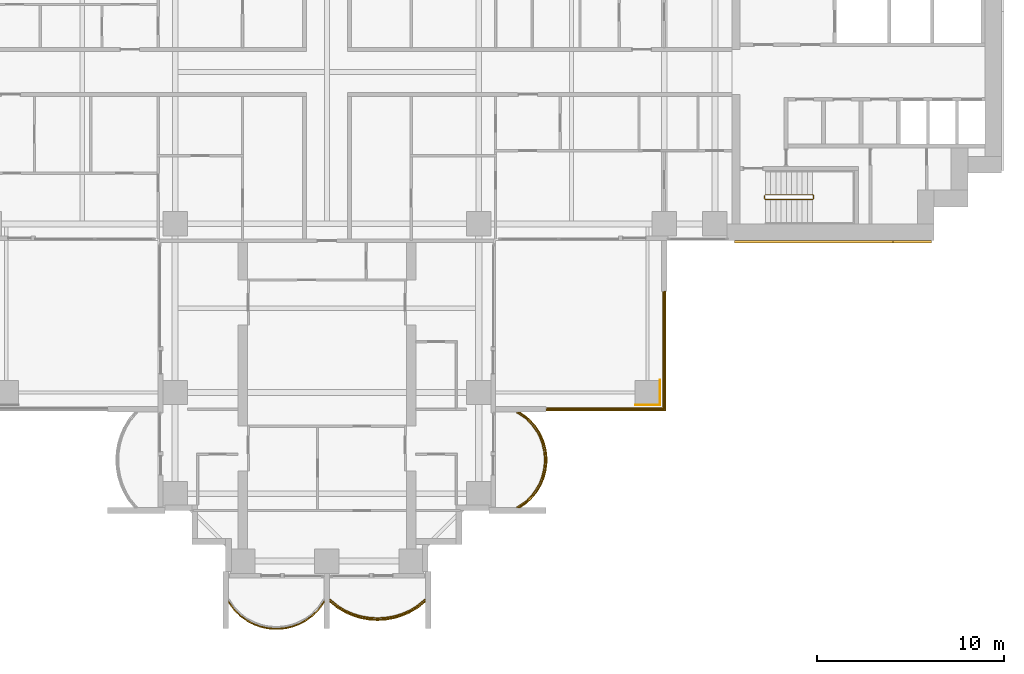
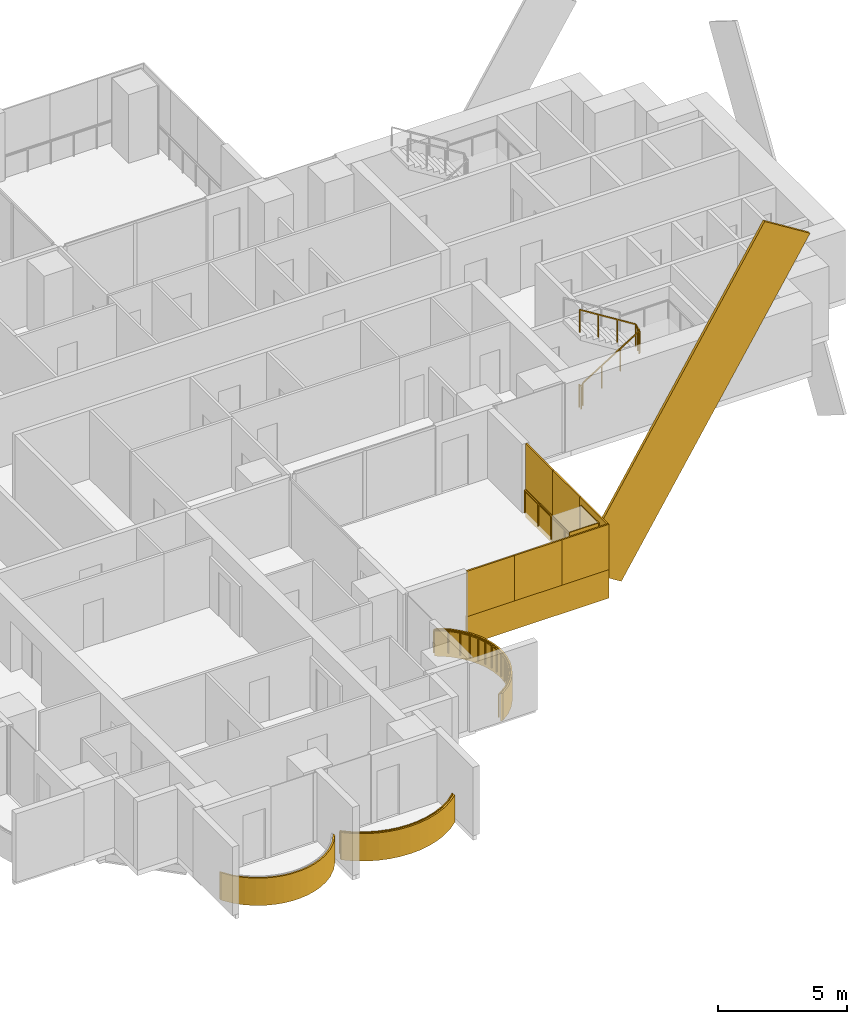
# One storey, part 20 of 23: 13 coverings, 4 railings.
"""IFC4 building model written with IfcOpenShell, lengths in metres."""

from ifc_helpers import new_model, si_unit, direction, frame, origin, origin_2d, place, context, subcontext, project, spatial, polyline, rectangle, outline, extrude, material, layer, layer_set, material_profile, profile_set, type_object, element, save


model = new_model("IFC4")

# Units and contexts
model_context = context("Model", 3, precision=1e-05, world=origin(), true_north=direction((0.0, 1.0)))
body_context = subcontext(model_context, "Body", "Model", "MODEL_VIEW")
ifc_project = project(units=[si_unit("LENGTHUNIT", "METRE"), si_unit("AREAUNIT", "SQUARE_METRE"), si_unit("VOLUMEUNIT", "CUBIC_METRE"), si_unit("PLANEANGLEUNIT", "RADIAN"), si_unit("MASSUNIT", "GRAM", prefix="KILO")], contexts=[model_context])

# Site, building, storey
site_placement = place(None, origin())
site = spatial("IfcSite", under=ifc_project, at=site_placement, CompositionType="ELEMENT")
building_placement = place(site_placement, origin())
building = spatial("IfcBuilding", under=site, at=building_placement, Name="Perihelion Cross Residences", CompositionType="ELEMENT")
storey_placement = place(building_placement, frame((0.0, 0.0, 85.5)))
storey = spatial("IfcBuildingStorey", under=building, at=storey_placement, Name="L19", CompositionType="ELEMENT", Elevation=85.5)

# Coverings
ifc_material_1 = material(Name="Bronze anodised aluminium", Category="aluminium")
ifc_layer_1 = layer(ifc_material_1, 0.070068359375)
ifc_layer_set_1 = layer_set([ifc_layer_1], Name="Balcony fascia 1300")
covering_type_1 = type_object("IfcCoveringType", Name="Balcony fascia 1300", PredefinedType="CLADDING", material=ifc_layer_set_1)
covering_1_placement = place(storey_placement, frame((0.0, 0.0, -0.199951171875)))
element("IfcCovering", 1, at=covering_1_placement, inside=storey, type_object=covering_type_1, Name="Fascia BF1 L19 south tip south bay 1", PredefinedType="CLADDING", context=body_context, shape_type="SweptSolid", body=[
    extrude(outline(polyline([(-4.963134765625, -28.722412109375), (-4.61474609375, -29.060791015625), (-4.2666015625, -29.308837890625), (-3.91845703125, -29.4912109375), (-3.5703125, -29.620361328125), (-3.22216796875, -29.703369140625), (-2.8740234375, -29.743896484375), (-2.52587890625, -29.743896484375), (-2.177734375, -29.703369140625), (-1.82958984375, -29.620361328125), (-1.4814453125, -29.4912109375), (-1.13330078125, -29.308837890625), (-0.78515625, -29.060791015625), (-0.43701171875, -28.722412109375), (-0.14990234375, -28.320556640625), (-0.14990234375, -28.199951171875), (-0.489990234375, -28.6767578125), (-0.830078125, -29.007080078125), (-1.169921875, -29.2490234375), (-1.510009765625, -29.42724609375), (-1.85009765625, -29.553466796875), (-2.18994140625, -29.63427734375), (-2.530029296875, -29.674072265625), (-2.8701171875, -29.674072265625), (-3.2099609375, -29.63427734375), (-3.550048828125, -29.553466796875), (-3.889892578125, -29.42724609375), (-4.22998046875, -29.2490234375), (-4.570068359375, -29.007080078125), (-4.909912109375, -28.6767578125), (-5.25, -28.199951171875), (-5.25, -28.320556640625), (-4.963134765625, -28.722412109375)])), origin(), (0.0, 0.0, 1.0), 1.300048828125),
])
covering_2_placement = place(storey_placement, frame((0.0, 0.0, -0.199951171875)))
element("IfcCovering", 2, at=covering_2_placement, inside=storey, type_object=covering_type_1, Name="Fascia BF1 L19 south tip south bay 2", PredefinedType="CLADDING", context=body_context, shape_type="SweptSolid", body=[
    extrude(outline(polyline([(0.53515625, -28.59765625), (0.96826171875, -28.85498046875), (1.401123046875, -29.04248046875), (1.833984375, -29.170654296875), (2.26708984375, -29.245361328125), (2.699951171875, -29.27001953125), (3.133056640625, -29.245361328125), (3.56591796875, -29.170654296875), (3.998779296875, -29.04248046875), (4.431884765625, -28.85498046875), (4.86474609375, -28.59765625), (5.25, -28.28955078125), (5.25, -28.199951171875), (4.824951171875, -28.5400390625), (4.39990234375, -28.792724609375), (3.97509765625, -28.9765625), (3.550048828125, -29.1025390625), (3.125, -29.17578125), (2.699951171875, -29.199951171875), (2.27490234375, -29.17578125), (1.85009765625, -29.1025390625), (1.425048828125, -28.9765625), (1.0, -28.792724609375), (0.574951171875, -28.5400390625), (0.14990234375, -28.199951171875), (0.14990234375, -28.28955078125), (0.53515625, -28.59765625)])), origin(), (0.0, 0.0, 1.0), 1.300048828125),
])
covering_3_placement = place(storey_placement, frame((0.0, 0.0, -0.199951171875)))
element("IfcCovering", 3, at=covering_3_placement, inside=storey, type_object=covering_type_1, Name="Fascia BF1 L19 south side east bay 1", PredefinedType="CLADDING", context=body_context, shape_type="SweptSolid", body=[
    extrude(outline(polyline([(10.722412109375, -22.963134765625), (11.060791015625, -22.61474609375), (11.308837890625, -22.2666015625), (11.4912109375, -21.91845703125), (11.620361328125, -21.5703125), (11.703369140625, -21.22216796875), (11.743896484375, -20.8740234375), (11.743896484375, -20.52587890625), (11.703369140625, -20.177734375), (11.620361328125, -19.82958984375), (11.4912109375, -19.4814453125), (11.308837890625, -19.13330078125), (11.060791015625, -18.78515625), (10.722412109375, -18.43701171875), (10.320556640625, -18.14990234375), (10.199951171875, -18.14990234375), (10.6767578125, -18.489990234375), (11.007080078125, -18.830078125), (11.2490234375, -19.169921875), (11.42724609375, -19.510009765625), (11.553466796875, -19.85009765625), (11.63427734375, -20.18994140625), (11.674072265625, -20.530029296875), (11.674072265625, -20.8701171875), (11.63427734375, -21.2099609375), (11.553466796875, -21.550048828125), (11.42724609375, -21.889892578125), (11.2490234375, -22.22998046875), (11.007080078125, -22.570068359375), (10.6767578125, -22.909912109375), (10.199951171875, -23.25), (10.320556640625, -23.25), (10.722412109375, -22.963134765625)])), origin(), (0.0, 0.0, 1.0), 1.300048828125),
])

# Railings
ifc_material_2 = material(Name="Bronze anodised aluminium", Category="aluminium")
railing_type_1 = type_object("IfcRailingType", Name="Balcony guard 1100", PredefinedType="GUARDRAIL", material=ifc_material_2)
railing_1_placement = place(storey_placement, frame((0.175048828125, -28.139892578125, 0.0)))
element("IfcRailing", 4, at=railing_1_placement, inside=storey, type_object=railing_type_1, Name="Guard GU1 L19 south tip south bay 2 balcony", PredefinedType="GUARDRAIL", context=body_context, shape_type="SweptSolid", body=[
    extrude(rectangle(XDim=0.048095703125, YDim=0.048095703125, at=origin_2d()), frame((0.0, 0.0, 1.076171875), z_axis=(0.761778647315, -0.647837396648, 0.0), x_axis=(0.647837396648, 0.761778647315, 0.0)), (0.0, 0.0, 1.0), 0.52490234375),
    extrude(rectangle(XDim=0.048095703125, YDim=0.048095703125, at=origin_2d()), frame((0.39990234375, -0.340087890625, 1.076171875), z_axis=(0.859576918062, -0.511006381501, 0.0), x_axis=(0.511006381501, 0.859576918062, 0.0)), (0.0, 0.0, 1.0), 0.494384765625),
    extrude(rectangle(XDim=0.048095703125, YDim=0.048095703125, at=origin_2d()), frame((0.824951171875, -0.5927734375, 1.076171875), z_axis=(0.917638931453, -0.397415137459, 0.0), x_axis=(0.397415137459, 0.917638931453, 0.0)), (0.0, 0.0, 1.0), 0.463134765625),
    extrude(rectangle(XDim=0.048095703125, YDim=0.048095703125, at=origin_2d()), frame((1.25, -0.77685546875, 1.076171875), z_axis=(0.958925815697, -0.283656975924, 0.0), x_axis=(0.283656975924, 0.958925815697, 0.0)), (0.0, 0.0, 1.0), 0.443359375),
    extrude(rectangle(XDim=0.048095703125, YDim=0.048095703125, at=origin_2d()), frame((1.675048828125, -0.902587890625, 1.076171875), z_axis=(0.985365142702, -0.170456843651, 0.0), x_axis=(0.170456843651, 0.985365142702, 0.0)), (0.0, 0.0, 1.0), 0.43115234375),
    extrude(rectangle(XDim=0.048095703125, YDim=0.048095703125, at=origin_2d()), frame((2.099853515625, -0.97607421875, 1.076171875), z_axis=(0.9984195016, -0.056200523353, 0.0), x_axis=(0.056200523353, 0.9984195016, 0.0)), (0.0, 0.0, 1.0), 0.42578125),
    extrude(rectangle(XDim=0.048095703125, YDim=0.048095703125, at=origin_2d()), frame((2.52490234375, -1.0, 1.076171875), z_axis=(0.9984195016, 0.056200523353, 0.0), x_axis=(-0.056200523353, 0.9984195016, 0.0)), (0.0, 0.0, 1.0), 0.42578125),
    extrude(rectangle(XDim=0.048095703125, YDim=0.048095703125, at=origin_2d()), frame((2.949951171875, -0.97607421875, 1.076171875), z_axis=(0.985381583142, 0.17036177859, 0.0), x_axis=(-0.17036177859, 0.985381583142, 0.0)), (0.0, 0.0, 1.0), 0.431396484375),
    extrude(rectangle(XDim=0.048095703125, YDim=0.048095703125, at=origin_2d()), frame((3.375, -0.902587890625, 1.076171875), z_axis=(0.958925815697, 0.283656975924, 0.0), x_axis=(-0.283656975924, 0.958925815697, 0.0)), (0.0, 0.0, 1.0), 0.443359375),
    extrude(rectangle(XDim=0.048095703125, YDim=0.048095703125, at=origin_2d()), frame((3.800048828125, -0.77685546875, 1.076171875), z_axis=(0.91755562531, 0.397607437634, 0.0), x_axis=(-0.397607437634, 0.91755562531, 0.0)), (0.0, 0.0, 1.0), 0.462890625),
    extrude(rectangle(XDim=0.048095703125, YDim=0.048095703125, at=origin_2d()), frame((4.224853515625, -0.5927734375, 1.076171875), z_axis=(0.859576918062, 0.511006381501, 0.0), x_axis=(-0.511006381501, 0.859576918062, 0.0)), (0.0, 0.0, 1.0), 0.494384765625),
    extrude(rectangle(XDim=0.048095703125, YDim=0.048095703125, at=origin_2d()), frame((4.64990234375, -0.340087890625, 1.076171875), z_axis=(0.761973728849, 0.647607934281, 0.0), x_axis=(-0.647607934281, 0.761973728849, 0.0)), (0.0, 0.0, 1.0), 0.525146484375),
    extrude(rectangle(XDim=0.0419921875, YDim=0.0419921875, at=origin_2d()), origin(), (0.0, 0.0, 1.0), 1.052001953125),
    extrude(rectangle(XDim=0.0419921875, YDim=0.0419921875, at=origin_2d()), frame((0.39990234375, -0.340087890625, 0.0)), (0.0, 0.0, 1.0), 1.052001953125),
    extrude(rectangle(XDim=0.0419921875, YDim=0.0419921875, at=origin_2d()), frame((0.824951171875, -0.5927734375, 0.0)), (0.0, 0.0, 1.0), 1.052001953125),
    extrude(rectangle(XDim=0.0419921875, YDim=0.0419921875, at=origin_2d()), frame((1.25, -0.77685546875, 0.0)), (0.0, 0.0, 1.0), 1.052001953125),
    extrude(rectangle(XDim=0.0419921875, YDim=0.0419921875, at=origin_2d()), frame((1.675048828125, -0.902587890625, 0.0)), (0.0, 0.0, 1.0), 1.052001953125),
    extrude(rectangle(XDim=0.0419921875, YDim=0.0419921875, at=origin_2d()), frame((2.099853515625, -0.97607421875, 0.0)), (0.0, 0.0, 1.0), 1.052001953125),
    extrude(rectangle(XDim=0.0419921875, YDim=0.0419921875, at=origin_2d()), frame((2.52490234375, -1.0, 0.0)), (0.0, 0.0, 1.0), 1.052001953125),
    extrude(rectangle(XDim=0.0419921875, YDim=0.0419921875, at=origin_2d()), frame((2.949951171875, -0.97607421875, 0.0)), (0.0, 0.0, 1.0), 1.052001953125),
    extrude(rectangle(XDim=0.0419921875, YDim=0.0419921875, at=origin_2d()), frame((3.375, -0.902587890625, 0.0)), (0.0, 0.0, 1.0), 1.052001953125),
    extrude(rectangle(XDim=0.0419921875, YDim=0.0419921875, at=origin_2d()), frame((3.800048828125, -0.77685546875, 0.0)), (0.0, 0.0, 1.0), 1.052001953125),
    extrude(rectangle(XDim=0.0419921875, YDim=0.0419921875, at=origin_2d()), frame((4.224853515625, -0.5927734375, 0.0)), (0.0, 0.0, 1.0), 1.052001953125),
    extrude(rectangle(XDim=0.0419921875, YDim=0.0419921875, at=origin_2d()), frame((4.64990234375, -0.340087890625, 0.0)), (0.0, 0.0, 1.0), 1.052001953125),
    extrude(rectangle(XDim=0.0419921875, YDim=0.0419921875, at=origin_2d()), frame((5.050048828125, 0.0, 0.0)), (0.0, 0.0, 1.0), 1.052001953125),
])
railing_2_placement = place(storey_placement, frame((10.139892578125, -23.22509765625, 0.0)))
element("IfcRailing", 5, at=railing_2_placement, inside=storey, type_object=railing_type_1, Name="Guard GU1 L19 south side east bay 1 balcony", PredefinedType="GUARDRAIL", context=body_context, shape_type="SweptSolid", body=[
    extrude(rectangle(XDim=0.048095703125, YDim=0.048095703125, at=origin_2d()), frame((0.0, 0.0, 1.076171875), z_axis=(0.834212513801, 0.55144309028, 0.0), x_axis=(-0.55144309028, 0.834212513801, 0.0)), (0.0, 0.0, 1.0), 0.571533203125),
    extrude(rectangle(XDim=0.048095703125, YDim=0.048095703125, at=origin_2d()), frame((0.476806640625, 0.315185546875, 1.076171875), z_axis=(0.696990112603, 0.717080736691, 0.0), x_axis=(-0.717080736691, 0.696990112603, 0.0)), (0.0, 0.0, 1.0), 0.473876953125),
    extrude(rectangle(XDim=0.048095703125, YDim=0.048095703125, at=origin_2d()), frame((0.80712890625, 0.655029296875, 1.076171875), z_axis=(0.580075995532, 0.814562360662, 0.0), x_axis=(-0.814562360662, 0.580075995532, 0.0)), (0.0, 0.0, 1.0), 0.41748046875),
    extrude(rectangle(XDim=0.048095703125, YDim=0.048095703125, at=origin_2d()), frame((1.04931640625, 0.9951171875, 1.076171875), z_axis=(0.463674228502, 0.886005761733, 0.0), x_axis=(-0.886005761733, 0.463674228502, 0.0)), (0.0, 0.0, 1.0), 0.3837890625),
    extrude(rectangle(XDim=0.048095703125, YDim=0.048095703125, at=origin_2d()), frame((1.227294921875, 1.335205078125, 1.076171875), z_axis=(0.348169621027, 0.937431552165, 0.0), x_axis=(-0.937431552165, 0.348169621027, 0.0)), (0.0, 0.0, 1.0), 0.362548828125),
    extrude(rectangle(XDim=0.048095703125, YDim=0.048095703125, at=origin_2d()), frame((1.353515625, 1.675048828125, 1.076171875), z_axis=(0.231840805498, 0.972753741142, 0.0), x_axis=(-0.972753741142, 0.231840805498, 0.0)), (0.0, 0.0, 1.0), 0.349609375),
    extrude(rectangle(XDim=0.048095703125, YDim=0.048095703125, at=origin_2d()), frame((1.4345703125, 2.01513671875, 1.076171875), z_axis=(0.11559909788, 0.993295952156, 0.0), x_axis=(-0.993295952156, 0.11559909788, 0.0)), (0.0, 0.0, 1.0), 0.342041015625),
    extrude(rectangle(XDim=0.048095703125, YDim=0.048095703125, at=origin_2d()), frame((1.47412109375, 2.35498046875, 1.076171875), z_axis=(0.0, 1.0, 0.0), x_axis=(-1.0, 0.0, 0.0)), (0.0, 0.0, 1.0), 0.340087890625),
    extrude(rectangle(XDim=0.048095703125, YDim=0.048095703125, at=origin_2d()), frame((1.47412109375, 2.695068359375, 1.076171875), z_axis=(-0.11551721994, 0.993305477634, 0.0), x_axis=(-0.993305477634, -0.11551721994, 0.0)), (0.0, 0.0, 1.0), 0.34228515625),
    extrude(rectangle(XDim=0.048095703125, YDim=0.048095703125, at=origin_2d()), frame((1.4345703125, 3.03515625, 1.076171875), z_axis=(-0.231998396458, 0.972716168284, 0.0), x_axis=(-0.972716168284, -0.231998396458, 0.0)), (0.0, 0.0, 1.0), 0.349365234375),
    extrude(rectangle(XDim=0.048095703125, YDim=0.048095703125, at=origin_2d()), frame((1.353515625, 3.375, 1.076171875), z_axis=(-0.347949948587, 0.93751311099, 0.0), x_axis=(-0.93751311099, -0.347949948587, 0.0)), (0.0, 0.0, 1.0), 0.36279296875),
    extrude(rectangle(XDim=0.048095703125, YDim=0.048095703125, at=origin_2d()), frame((1.227294921875, 3.715087890625, 1.076171875), z_axis=(-0.463674228502, 0.886005761733, 0.0), x_axis=(-0.886005761733, -0.463674228502, 0.0)), (0.0, 0.0, 1.0), 0.3837890625),
    extrude(rectangle(XDim=0.048095703125, YDim=0.048095703125, at=origin_2d()), frame((1.04931640625, 4.05517578125, 1.076171875), z_axis=(-0.580352394782, 0.814365457194, 0.0), x_axis=(-0.814365457194, -0.580352394782, 0.0)), (0.0, 0.0, 1.0), 0.417236328125),
    extrude(rectangle(XDim=0.048095703125, YDim=0.048095703125, at=origin_2d()), frame((0.80712890625, 4.39501953125, 1.076171875), z_axis=(-0.69673269466, 0.717330852669, 0.0), x_axis=(-0.717330852669, -0.69673269466, 0.0)), (0.0, 0.0, 1.0), 0.47412109375),
    extrude(rectangle(XDim=0.048095703125, YDim=0.048095703125, at=origin_2d()), frame((0.476806640625, 4.735107421875, 1.076171875), z_axis=(-0.834409002258, 0.551145731138, 0.0), x_axis=(-0.551145731138, -0.834409002258, 0.0)), (0.0, 0.0, 1.0), 0.571533203125),
    extrude(rectangle(XDim=0.0419921875, YDim=0.0419921875, at=origin_2d()), origin(), (0.0, 0.0, 1.0), 1.052001953125),
    extrude(rectangle(XDim=0.0419921875, YDim=0.0419921875, at=origin_2d()), frame((0.476806640625, 0.315185546875, 0.0)), (0.0, 0.0, 1.0), 1.052001953125),
    extrude(rectangle(XDim=0.0419921875, YDim=0.0419921875, at=origin_2d()), frame((0.80712890625, 0.655029296875, 0.0)), (0.0, 0.0, 1.0), 1.052001953125),
    extrude(rectangle(XDim=0.0419921875, YDim=0.0419921875, at=origin_2d()), frame((1.04931640625, 0.9951171875, 0.0)), (0.0, 0.0, 1.0), 1.052001953125),
    extrude(rectangle(XDim=0.0419921875, YDim=0.0419921875, at=origin_2d()), frame((1.227294921875, 1.335205078125, 0.0)), (0.0, 0.0, 1.0), 1.052001953125),
    extrude(rectangle(XDim=0.0419921875, YDim=0.0419921875, at=origin_2d()), frame((1.353515625, 1.675048828125, 0.0)), (0.0, 0.0, 1.0), 1.052001953125),
    extrude(rectangle(XDim=0.0419921875, YDim=0.0419921875, at=origin_2d()), frame((1.4345703125, 2.01513671875, 0.0)), (0.0, 0.0, 1.0), 1.052001953125),
    extrude(rectangle(XDim=0.0419921875, YDim=0.0419921875, at=origin_2d()), frame((1.47412109375, 2.35498046875, 0.0)), (0.0, 0.0, 1.0), 1.052001953125),
    extrude(rectangle(XDim=0.0419921875, YDim=0.0419921875, at=origin_2d()), frame((1.47412109375, 2.695068359375, 0.0)), (0.0, 0.0, 1.0), 1.052001953125),
    extrude(rectangle(XDim=0.0419921875, YDim=0.0419921875, at=origin_2d()), frame((1.4345703125, 3.03515625, 0.0)), (0.0, 0.0, 1.0), 1.052001953125),
    extrude(rectangle(XDim=0.0419921875, YDim=0.0419921875, at=origin_2d()), frame((1.353515625, 3.375, 0.0)), (0.0, 0.0, 1.0), 1.052001953125),
    extrude(rectangle(XDim=0.0419921875, YDim=0.0419921875, at=origin_2d()), frame((1.227294921875, 3.715087890625, 0.0)), (0.0, 0.0, 1.0), 1.052001953125),
    extrude(rectangle(XDim=0.0419921875, YDim=0.0419921875, at=origin_2d()), frame((1.04931640625, 4.05517578125, 0.0)), (0.0, 0.0, 1.0), 1.052001953125),
    extrude(rectangle(XDim=0.0419921875, YDim=0.0419921875, at=origin_2d()), frame((0.80712890625, 4.39501953125, 0.0)), (0.0, 0.0, 1.0), 1.052001953125),
    extrude(rectangle(XDim=0.0419921875, YDim=0.0419921875, at=origin_2d()), frame((0.476806640625, 4.735107421875, 0.0)), (0.0, 0.0, 1.0), 1.052001953125),
    extrude(rectangle(XDim=0.0419921875, YDim=0.0419921875, at=origin_2d()), frame((0.0, 5.050048828125, 0.0)), (0.0, 0.0, 1.0), 1.052001953125),
])
railing_3_placement = place(storey_placement, frame((17.93994140625, -11.739990234375, 0.0)))
element("IfcRailing", 6, at=railing_3_placement, inside=storey, type_object=railing_type_1, Name="Guard GU1 L19 pocket south-east 1", PredefinedType="GUARDRAIL", context=body_context, shape_type="SweptSolid", body=[
    extrude(rectangle(XDim=0.048095703125, YDim=0.048095703125, at=origin_2d()), frame((0.0, 0.0, 1.076171875), z_axis=(0.0, -1.0, 0.0), x_axis=(1.0, 0.0, 0.0)), (0.0, 0.0, 1.0), 6.199951171875),
    extrude(rectangle(XDim=0.048095703125, YDim=0.048095703125, at=origin_2d()), frame((0.0, -6.199951171875, 1.076171875), z_axis=(-1.0, 0.0, 0.0), x_axis=(0.0, -1.0, 0.0)), (0.0, 0.0, 1.0), 6.199951171875),
    extrude(rectangle(XDim=0.0419921875, YDim=0.0419921875, at=origin_2d()), origin(), (0.0, 0.0, 1.0), 1.052001953125),
    extrude(rectangle(XDim=0.0419921875, YDim=0.0419921875, at=origin_2d()), frame((0.0, -1.033203125, 0.0)), (0.0, 0.0, 1.0), 1.052001953125),
    extrude(rectangle(XDim=0.0419921875, YDim=0.0419921875, at=origin_2d()), frame((0.0, -2.066650390625, 0.0)), (0.0, 0.0, 1.0), 1.052001953125),
    extrude(rectangle(XDim=0.0419921875, YDim=0.0419921875, at=origin_2d()), frame((0.0, -3.10009765625, 0.0)), (0.0, 0.0, 1.0), 1.052001953125),
    extrude(rectangle(XDim=0.0419921875, YDim=0.0419921875, at=origin_2d()), frame((0.0, -4.13330078125, 0.0)), (0.0, 0.0, 1.0), 1.052001953125),
    extrude(rectangle(XDim=0.0419921875, YDim=0.0419921875, at=origin_2d()), frame((0.0, -5.16650390625, 0.0)), (0.0, 0.0, 1.0), 1.052001953125),
    extrude(rectangle(XDim=0.0419921875, YDim=0.0419921875, at=origin_2d()), frame((0.0, -6.199951171875, 0.0)), (0.0, 0.0, 1.0), 1.052001953125),
    extrude(rectangle(XDim=0.0419921875, YDim=0.0419921875, at=origin_2d()), frame((-1.033203125, -6.199951171875, 0.0)), (0.0, 0.0, 1.0), 1.052001953125),
    extrude(rectangle(XDim=0.0419921875, YDim=0.0419921875, at=origin_2d()), frame((-2.066650390625, -6.199951171875, 0.0)), (0.0, 0.0, 1.0), 1.052001953125),
    extrude(rectangle(XDim=0.0419921875, YDim=0.0419921875, at=origin_2d()), frame((-3.10009765625, -6.199951171875, 0.0)), (0.0, 0.0, 1.0), 1.052001953125),
    extrude(rectangle(XDim=0.0419921875, YDim=0.0419921875, at=origin_2d()), frame((-4.13330078125, -6.199951171875, 0.0)), (0.0, 0.0, 1.0), 1.052001953125),
    extrude(rectangle(XDim=0.0419921875, YDim=0.0419921875, at=origin_2d()), frame((-5.16650390625, -6.199951171875, 0.0)), (0.0, 0.0, 1.0), 1.052001953125),
    extrude(rectangle(XDim=0.0419921875, YDim=0.0419921875, at=origin_2d()), frame((-6.199951171875, -6.199951171875, 0.0)), (0.0, 0.0, 1.0), 1.052001953125),
])

# Coverings
ifc_material_3 = material(Name="Bronze anodised aluminium", Category="aluminium")
ifc_material_profile = material_profile(ifc_material_3, rectangle(XDim=0.125, YDim=2.39990234375, at=origin_2d()), Name="Bronze cladding band 2400")
ifc_profile_set = profile_set([ifc_material_profile], Name="Bronze anodised aluminium")
covering_type_2 = type_object("IfcCoveringType", Name="Bronze cladding band 2400", PredefinedType="CLADDING", material=ifc_profile_set)
covering_4_placement = place(storey_placement, frame((22.767578125, -9.0625, -6.24755859375), z_axis=(0.529924750763, 0.0, 0.848044667767), x_axis=(0.0, 1.0, 0.0)))
element("IfcCovering", 7, at=covering_4_placement, inside=storey, type_object=covering_type_2, Name="Core cladding band, east core", PredefinedType="CLADDING", context=body_context, shape_type="SweptSolid", body=[
    extrude(rectangle(XDim=0.125, YDim=2.39990234375, at=origin_2d()), origin(), (0.0, 0.0, 1.0), 15.9736328125),
])
ifc_material_4 = material(Name="Bronze anodised aluminium", Category="aluminium")
ifc_layer_2 = layer(ifc_material_4, 0.0400390625)
ifc_layer_set_2 = layer_set([ifc_layer_2], Name="Bronze column casing 40")
covering_type_3 = type_object("IfcCoveringType", Name="Bronze column casing 40", PredefinedType="CLADDING", material=ifc_layer_set_2)
covering_5_placement = place(storey_placement, frame((17.77001953125, -17.10009765625, -0.25), z_axis=(0.0, 0.0, 1.0), x_axis=(1.0, 0.0, 0.0)))
element("IfcCovering", 8, at=covering_5_placement, inside=storey, type_object=covering_type_3, Name="Cladding CC1 L19 casing east-west no. 3", PredefinedType="CLADDING", context=body_context, shape_type="SweptSolid", body=[
    extrude(rectangle(XDim=0.0400390625, YDim=1.3798828125, at=origin_2d()), origin(), (0.0, 0.0, 1.0), 3.5),
])
covering_6_placement = place(storey_placement, frame((17.10009765625, -17.77001953125, -0.25), z_axis=(0.0, 0.0, 1.0), x_axis=(1.0, 0.0, 0.0)))
element("IfcCovering", 9, at=covering_6_placement, inside=storey, type_object=covering_type_3, Name="Cladding CC1 L19 casing north-south no. 3", PredefinedType="CLADDING", context=body_context, shape_type="SweptSolid", body=[
    extrude(rectangle(XDim=1.300048828125, YDim=0.0400390625, at=origin_2d()), origin(), (0.0, 0.0, 1.0), 3.5),
])
ifc_material_5 = material(Name="Bronze anodised aluminium", Category="aluminium")
ifc_layer_3 = layer(ifc_material_5, 0.070068359375)
ifc_layer_set_3 = layer_set([ifc_layer_3], Name="Pocket fascia 1350")
covering_type_4 = type_object("IfcCoveringType", Name="Pocket fascia 1350", PredefinedType="CLADDING", material=ifc_layer_set_3)
covering_7_placement = place(storey_placement, frame((0.0, 0.0, -0.25)))
element("IfcCovering", 10, at=covering_7_placement, inside=storey, type_object=covering_type_4, Name="Fascia BF2 L19 pocket south-east 3", PredefinedType="CLADDING", context=body_context, shape_type="SweptSolid", body=[
    extrude(outline(polyline([(18.070068359375, -18.070068359375), (18.070068359375, -11.699951171875), (18.0, -11.699951171875), (18.0, -18.0), (11.699951171875, -18.0), (11.699951171875, -18.070068359375), (18.070068359375, -18.070068359375)])), origin(), (0.0, 0.0, 1.0), 1.35009765625),
])
ifc_material_6 = material(Name="Bronze perforated aluminium", Category="aluminium")
ifc_layer_4 = layer(ifc_material_6, 0.070068359375)
ifc_layer_set_4 = layer_set([ifc_layer_4], Name="Pocket solar screen, bronze perforated")
covering_type_5 = type_object("IfcCoveringType", Name="Pocket solar screen, bronze perforated", PredefinedType="CLADDING", material=ifc_layer_set_4)
covering_8_placement = place(storey_placement, frame((0.0, 0.0, 1.10009765625)))
element("IfcCovering", 11, at=covering_8_placement, inside=storey, type_object=covering_type_5, Name="Solar screen PS1 L19 pocket south-east no. 1", PredefinedType="CLADDING", context=body_context, shape_type="SweptSolid", body=[
    extrude(outline(polyline([(18.070068359375, -18.0), (18.070068359375, -15.89990234375), (18.0, -15.89990234375), (18.0, -18.0), (18.070068359375, -18.0)])), origin(), (0.0, 0.0, 1.0), 2.14990234375),
])
covering_9_placement = place(storey_placement, frame((0.0, 0.0, 1.10009765625)))
element("IfcCovering", 12, at=covering_9_placement, inside=storey, type_object=covering_type_5, Name="Solar screen PS1 L19 pocket south-east no. 2", PredefinedType="CLADDING", context=body_context, shape_type="SweptSolid", body=[
    extrude(outline(polyline([(18.070068359375, -15.89990234375), (18.070068359375, -13.800048828125), (18.0, -13.800048828125), (18.0, -15.89990234375), (18.070068359375, -15.89990234375)])), origin(), (0.0, 0.0, 1.0), 2.14990234375),
])
covering_10_placement = place(storey_placement, frame((0.0, 0.0, 1.10009765625)))
element("IfcCovering", 13, at=covering_10_placement, inside=storey, type_object=covering_type_5, Name="Solar screen PS1 L19 pocket south-east no. 3", PredefinedType="CLADDING", context=body_context, shape_type="SweptSolid", body=[
    extrude(outline(polyline([(18.070068359375, -13.800048828125), (18.070068359375, -11.699951171875), (18.0, -11.699951171875), (18.0, -13.800048828125), (18.070068359375, -13.800048828125)])), origin(), (0.0, 0.0, 1.0), 2.14990234375),
])
covering_11_placement = place(storey_placement, frame((0.0, 0.0, 1.10009765625)))
element("IfcCovering", 14, at=covering_11_placement, inside=storey, type_object=covering_type_5, Name="Solar screen PS1 L19 pocket south-east no. 4", PredefinedType="CLADDING", context=body_context, shape_type="SweptSolid", body=[
    extrude(outline(polyline([(13.8232421875, -18.070068359375), (13.8232421875, -18.0), (11.699951171875, -18.0), (11.699951171875, -18.070068359375), (13.8232421875, -18.070068359375)])), origin(), (0.0, 0.0, 1.0), 2.14990234375),
])
covering_12_placement = place(storey_placement, frame((0.0, 0.0, 1.10009765625)))
element("IfcCovering", 15, at=covering_12_placement, inside=storey, type_object=covering_type_5, Name="Solar screen PS1 L19 pocket south-east no. 5", PredefinedType="CLADDING", context=body_context, shape_type="SweptSolid", body=[
    extrude(outline(polyline([(15.94677734375, -18.070068359375), (15.94677734375, -18.0), (13.8232421875, -18.0), (13.8232421875, -18.070068359375), (15.94677734375, -18.070068359375)])), origin(), (0.0, 0.0, 1.0), 2.14990234375),
])
covering_13_placement = place(storey_placement, frame((0.0, 0.0, 1.10009765625)))
element("IfcCovering", 16, at=covering_13_placement, inside=storey, type_object=covering_type_5, Name="Solar screen PS1 L19 pocket south-east no. 6", PredefinedType="CLADDING", context=body_context, shape_type="SweptSolid", body=[
    extrude(outline(polyline([(18.070068359375, -18.070068359375), (18.070068359375, -18.0), (15.94677734375, -18.0), (15.94677734375, -18.070068359375), (18.070068359375, -18.070068359375)])), origin(), (0.0, 0.0, 1.0), 2.14990234375),
])

# Railing
ifc_material_7 = material(Name="Stainless steel", Category="steel")
railing_type_2 = type_object("IfcRailingType", Name="Stair guard 1100", PredefinedType="GUARDRAIL", material=ifc_material_7)
railing_4_placement = place(storey_placement, frame((23.35009765625, -6.60009765625, 0.0)))
element("IfcRailing", 17, at=railing_4_placement, inside=storey, type_object=railing_type_2, Name="L19 ST-E2 stair guard 1", PredefinedType="GUARDRAIL", context=body_context, shape_type="SweptSolid", body=[
    extrude(rectangle(XDim=0.048095703125, YDim=0.048095703125, at=origin_2d()), frame((0.0, 0.0, 1.076171875), z_axis=(0.0, -1.0, 0.0), x_axis=(1.0, 0.0, 0.0)), (0.0, 0.0, 1.0), 0.14990234375),
    extrude(rectangle(XDim=0.048095703125, YDim=0.048095703125, at=origin_2d()), frame((0.0, -0.14990234375, 1.076171875), z_axis=(0.263862480399, -0.265155923931, 0.927399011991), x_axis=(0.708833529934, 0.705375805398, 0.0)), (0.0, 0.0, 1.0), 0.188720703125),
    extrude(rectangle(XDim=0.048095703125, YDim=0.048095703125, at=origin_2d()), frame((0.0498046875, -0.199951171875, 1.2509765625), z_axis=(0.848007534815, 0.0, 0.529984170421), x_axis=(0.0, 1.0, 0.0)), (0.0, 0.0, 1.0), 2.9716796875),
    extrude(rectangle(XDim=0.048095703125, YDim=0.048095703125, at=origin_2d()), frame((2.56982421875, -0.199951171875, 2.826171875), z_axis=(0.707106781187, 0.707106781187, 0.0), x_axis=(-0.707106781187, 0.707106781187, 0.0)), (0.0, 0.0, 1.0), 0.07080078125),
    extrude(rectangle(XDim=0.048095703125, YDim=0.048095703125, at=origin_2d()), frame((2.619873046875, -0.14990234375, 2.826171875), z_axis=(0.0, 1.0, 0.0), x_axis=(-1.0, 0.0, 0.0)), (0.0, 0.0, 1.0), 0.14990234375),
    extrude(rectangle(XDim=0.048095703125, YDim=0.048095703125, at=origin_2d()), frame((2.619873046875, 0.0, 2.826171875), z_axis=(-0.265065253269, 0.265065253269, 0.927081885822), x_axis=(-0.707106781187, -0.707106781187, 0.0)), (0.0, 0.0, 1.0), 0.188720703125),
    extrude(rectangle(XDim=0.048095703125, YDim=0.048095703125, at=origin_2d()), frame((2.56982421875, 0.050048828125, 3.0009765625), z_axis=(-0.848007534815, 0.0, 0.529984170421), x_axis=(0.0, -1.0, 0.0)), (0.0, 0.0, 1.0), 2.9716796875),
    extrude(rectangle(XDim=0.0419921875, YDim=0.0419921875, at=origin_2d()), origin(), (0.0, 0.0, 1.0), 1.052001953125),
    extrude(rectangle(XDim=0.0419921875, YDim=0.0419921875, at=origin_2d()), frame((0.0, -0.14990234375, 0.0)), (0.0, 0.0, 1.0), 1.052001953125),
    extrude(rectangle(XDim=0.0419921875, YDim=0.0419921875, at=origin_2d()), frame((0.0498046875, -0.199951171875, 0.175048828125)), (0.0, 0.0, 1.0), 1.052001953125),
    extrude(rectangle(XDim=0.0419921875, YDim=0.0419921875, at=origin_2d()), frame((0.889892578125, -0.199951171875, 0.699951171875)), (0.0, 0.0, 1.0), 1.052001953125),
    extrude(rectangle(XDim=0.0419921875, YDim=0.0419921875, at=origin_2d()), frame((1.729736328125, -0.199951171875, 1.22509765625)), (0.0, 0.0, 1.0), 1.052001953125),
    extrude(rectangle(XDim=0.0419921875, YDim=0.0419921875, at=origin_2d()), frame((2.56982421875, -0.199951171875, 1.75)), (0.0, 0.0, 1.0), 1.052001953125),
    extrude(rectangle(XDim=0.0419921875, YDim=0.0419921875, at=origin_2d()), frame((2.619873046875, -0.14990234375, 1.75)), (0.0, 0.0, 1.0), 1.052001953125),
    extrude(rectangle(XDim=0.0419921875, YDim=0.0419921875, at=origin_2d()), frame((2.619873046875, 0.0, 1.75)), (0.0, 0.0, 1.0), 1.052001953125),
    extrude(rectangle(XDim=0.0419921875, YDim=0.0419921875, at=origin_2d()), frame((2.56982421875, 0.050048828125, 1.925048828125)), (0.0, 0.0, 1.0), 1.052001953125),
    extrude(rectangle(XDim=0.0419921875, YDim=0.0419921875, at=origin_2d()), frame((1.729736328125, 0.050048828125, 2.449951171875)), (0.0, 0.0, 1.0), 1.052001953125),
    extrude(rectangle(XDim=0.0419921875, YDim=0.0419921875, at=origin_2d()), frame((0.889892578125, 0.050048828125, 2.97509765625)), (0.0, 0.0, 1.0), 1.052001953125),
    extrude(rectangle(XDim=0.0419921875, YDim=0.0419921875, at=origin_2d()), frame((0.0498046875, 0.050048828125, 3.5)), (0.0, 0.0, 1.0), 1.052001953125),
])

save(model, "model.ifc")
